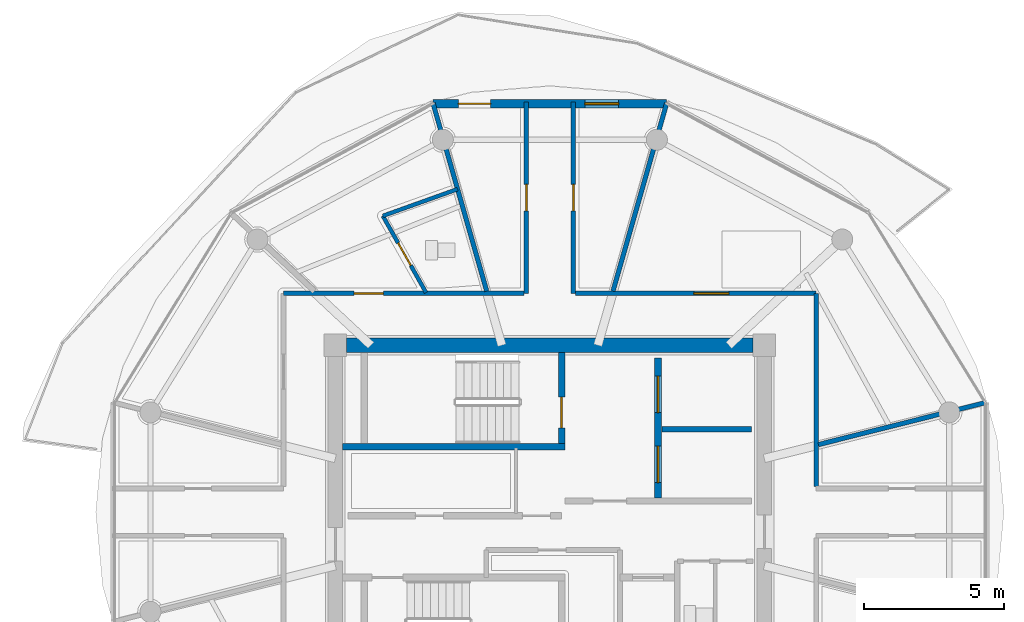
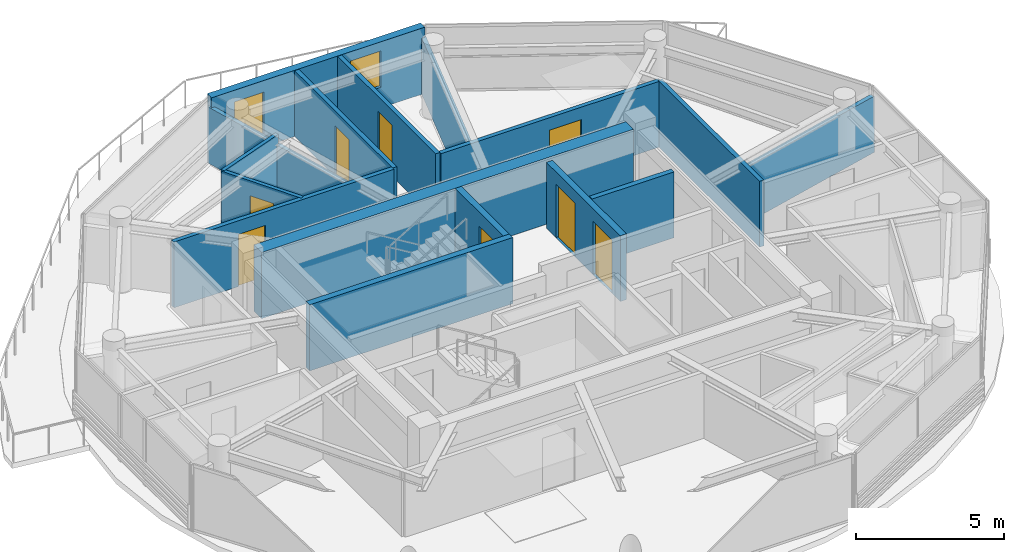
# One storey, part 13 of 21: 16 walls, 9 doors, 1 window, 10 openings.
"""IFC4 building model written with IfcOpenShell, lengths in metres."""

from ifc_helpers import new_model, si_unit, direction, frame, frame_2d, origin, place, context, subcontext, project, spatial, rectangle, extrude, source, transform, mapped, material, layer, layer_set, type_object, type_shapes, element, fill, save


model = new_model("IFC4")

# Units and contexts
model_context = context("Model", 3, precision=1e-05, world=origin(), true_north=direction((0.0, 1.0)))
body_context = subcontext(model_context, "Body", "Model", "MODEL_VIEW")
ifc_project = project(units=[si_unit("LENGTHUNIT", "METRE"), si_unit("AREAUNIT", "SQUARE_METRE"), si_unit("VOLUMEUNIT", "CUBIC_METRE"), si_unit("PLANEANGLEUNIT", "RADIAN"), si_unit("MASSUNIT", "GRAM", prefix="KILO")], contexts=[model_context])

# Site, building, storey
site_placement = place(None, origin())
site = spatial("IfcSite", under=ifc_project, at=site_placement, CompositionType="ELEMENT")
building_placement = place(site_placement, origin())
building = spatial("IfcBuilding", under=site, at=building_placement, Name="Norrkilde Senior Care Towers", CompositionType="ELEMENT")
storey_placement = place(building_placement, frame((0.0, 0.0, 241.35009765625)))
storey = spatial("IfcBuildingStorey", under=building, at=storey_placement, Name="L75", CompositionType="ELEMENT", Elevation=241.35009765625)

# Wall
ifc_material_1 = material(Name="Concrete C50/60", Category="concrete")
ifc_layer_1 = layer(ifc_material_1, 0.52001953125)
ifc_layer_set_1 = layer_set([ifc_layer_1], Name="Concrete C50/60")
wall_type_1 = type_object("IfcWallType", Name="Core Shear Wall Z4 520", PredefinedType="SHEAR", material=ifc_layer_set_1)
shared_shape_1 = source(origin(), body_context, "Body", "SweptSolid", [
    extrude(rectangle(XDim=14.5, YDim=0.52001953125, at=frame_2d((7.25, 0.0))), origin(), (0.0, 0.0, 1.0), 2.72998046875),
])
type_shapes(wall_type_1, [shared_shape_1])
wall_1_placement = place(storey_placement, frame((20.75, 5.949951171875, 0.0), z_axis=(0.0, 0.0, 1.0), x_axis=(1.0, 0.0, 0.0)))
element("IfcWall", 1, at=wall_1_placement, inside=storey, type_object=wall_type_1, Name="L75 Core E North Shear Wall", PredefinedType="SHEAR", context=body_context, shape_type="MappedRepresentation", body=[
    mapped(shared_shape_1, transform((0.0, 0.0, 0.0), x_axis=(1.0, 0.0, 0.0), y_axis=(0.0, 1.0, 0.0), z_axis=(0.0, 0.0, 1.0), scale=1.0)),
])

# Wall, openings, door, window
ifc_material_2 = material(Name="Precast concrete C45/55", Category="concrete")
ifc_layer_2 = layer(ifc_material_2, 0.2900390625)
ifc_layer_set_2 = layer_set([ifc_layer_2], Name="Precast concrete C45/55")
wall_type_2 = type_object("IfcWallType", Name="Winter Garden Facade Wall 290", PredefinedType="SOLIDWALL", material=ifc_layer_set_2)
shared_shape_2 = source(origin(), body_context, "Body", "SweptSolid", [
    extrude(rectangle(XDim=8.32373046875, YDim=0.2900390625, at=frame_2d((4.161865234375, 0.0))), origin(), (0.0, 0.0, 1.0), 2.72998046875),
])
type_shapes(wall_type_2, [shared_shape_2])
wall_2_placement = place(storey_placement, frame((23.838134765625, 14.566162109375, 0.0), z_axis=(0.0, 0.0, 1.0), x_axis=(1.0, 0.0, 0.0)))
wall_2 = element("IfcWall", 2, at=wall_2_placement, inside=storey, type_object=wall_type_2, Name="L75 Drum E Balcony Access Wall 02", PredefinedType="SOLIDWALL", context=body_context, shape_type="MappedRepresentation", body=[
    mapped(shared_shape_2, transform((0.0, 0.0, 0.0), x_axis=(1.0, 0.0, 0.0), y_axis=(0.0, 1.0, 0.0), z_axis=(0.0, 0.0, 1.0), scale=1.0)),
])
opening_1_placement = place(wall_2_placement, frame((0.89990234375, 0.0, 0.0)))
opening_1 = element("IfcOpeningElement", 3, at=opening_1_placement, cuts=wall_2, Name="Opening D-09", PredefinedType="OPENING", context=body_context, shape_type="SweptSolid", body=[
    extrude(rectangle(XDim=1.14990234375, YDim=2.25, at=frame_2d((0.574951171875, 1.125))), frame((0.0, 0.155029296875, 0.0), z_axis=(0.0, -1.0, 0.0), x_axis=(1.0, 0.0, 0.0)), (0.0, 0.0, 1.0), 0.31005859375),
])
opening_2_placement = place(wall_2_placement, frame((5.411865234375, 0.0, 0.85009765625)))
opening_2 = element("IfcOpeningElement", 4, at=opening_2_placement, cuts=wall_2, Name="Opening WN-07", PredefinedType="OPENING", context=body_context, shape_type="SweptSolid", body=[
    extrude(rectangle(XDim=1.199951171875, YDim=1.5, at=frame_2d((0.60009765625, 0.75))), frame((0.0, 0.155029296875, 0.0), z_axis=(0.0, -1.0, 0.0), x_axis=(1.0, 0.0, 0.0)), (0.0, 0.0, 1.0), 0.31005859375),
])
ifc_material_3 = material(Name="Anodised Aluminium", Category="aluminium")
door_type_1 = type_object("IfcDoorType", Name="Terrace and Balcony Glazed Door 1150x2250", OperationType="NOTDEFINED", PredefinedType="DOOR", material=ifc_material_3)
shared_shape_3 = source(origin(), body_context, "Body", "SweptSolid", [
    extrude(rectangle(XDim=1.14990234375, YDim=2.25, at=frame_2d((0.574951171875, 1.125))), frame((0.0, 0.02490234375, 0.0), z_axis=(0.0, -1.0, 0.0), x_axis=(1.0, 0.0, 0.0)), (0.0, 0.0, 1.0), 0.050048828125),
])
type_shapes(door_type_1, [shared_shape_3])
door_1_placement = place(opening_1_placement, origin())
door_1 = element("IfcDoor", 5, at=door_1_placement, inside=storey, type_object=door_type_1, Name="L75 Drum E Outdoor Terrace Door 02", OperationType="SINGLE_SWING_LEFT", OverallHeight=2.25, OverallWidth=1.14990234375, PredefinedType="DOOR", context=body_context, shape_type="MappedRepresentation", body=[
    mapped(shared_shape_3, transform((0.0, 0.0, 0.0), x_axis=(1.0, 0.0, 0.0), y_axis=(0.0, 1.0, 0.0), z_axis=(0.0, 0.0, 1.0), scale=1.0)),
])
fill(opening_1, door_1)
ifc_material_4 = material(Name="Triple Low-E Insulated Glazing", Category="glass")
window_type = type_object("IfcWindowType", Name="Stairwell Smoke Vent Window 1200x1500", PartitioningType="SINGLE_PANEL", PredefinedType="WINDOW", material=ifc_material_4)
shared_shape_4 = source(origin(), body_context, "Body", "SweptSolid", [
    extrude(rectangle(XDim=1.199951171875, YDim=1.5, at=frame_2d((0.60009765625, 0.75))), frame((0.0, 0.030029296875, 0.0), z_axis=(0.0, -1.0, 0.0), x_axis=(1.0, 0.0, 0.0)), (0.0, 0.0, 1.0), 0.06005859375),
])
type_shapes(window_type, [shared_shape_4])
window_placement = place(opening_2_placement, origin())
window = element("IfcWindow", 6, at=window_placement, inside=storey, type_object=window_type, Name="L75 Drum E Winter Garden Window 02", OverallHeight=1.5, OverallWidth=1.199951171875, PartitioningType="SINGLE_PANEL", PredefinedType="WINDOW", context=body_context, shape_type="MappedRepresentation", body=[
    mapped(shared_shape_4, transform((0.0, 0.0, 0.0), x_axis=(1.0, 0.0, 0.0), y_axis=(0.0, 1.0, 0.0), z_axis=(0.0, 0.0, 1.0), scale=1.0)),
])
fill(opening_2, window)

# Wall, openings, doors
ifc_material_5 = material(Name="Concrete C45/55", Category="concrete")
ifc_layer_3 = layer(ifc_material_5, 0.239990234375)
ifc_layer_set_3 = layer_set([ifc_layer_3], Name="Concrete C45/55")
wall_type_3 = type_object("IfcWallType", Name="Lift and Plant Rated Enclosure Partition 240", PredefinedType="PARTITIONING", material=ifc_layer_set_3)
shared_shape_5 = source(origin(), body_context, "Body", "SweptSolid", [
    extrude(rectangle(XDim=5.0, YDim=0.239990234375, at=frame_2d((2.5, 0.0))), origin(), (0.0, 0.0, 1.0), 2.71484375),
])
type_shapes(wall_type_3, [shared_shape_5])
wall_3_placement = place(storey_placement, frame((31.860107421875, 0.5, 0.0), z_axis=(0.0, 0.0, 1.0), x_axis=(0.0, 1.0, 0.0)))
wall_3 = element("IfcWall", 7, at=wall_3_placement, inside=storey, type_object=wall_type_3, Name="WL-INT-L75-E-FFLE", PredefinedType="PARTITIONING", context=body_context, shape_type="MappedRepresentation", body=[
    mapped(shared_shape_5, transform((0.0, 0.0, 0.0), x_axis=(1.0, 0.0, 0.0), y_axis=(0.0, 1.0, 0.0), z_axis=(0.0, 0.0, 1.0), scale=1.0)),
])
opening_3_placement = place(wall_3_placement, frame((3.050048828125, 0.0, 0.0)))
opening_3 = element("IfcOpeningElement", 8, at=opening_3_placement, cuts=wall_3, Name="Opening LD-02", PredefinedType="OPENING", context=body_context, shape_type="SweptSolid", body=[
    extrude(rectangle(XDim=1.300048828125, YDim=2.199951171875, at=frame_2d((0.64990234375, 1.10009765625))), frame((0.0, 0.1298828125, 0.0), z_axis=(0.0, -1.0, 0.0), x_axis=(1.0, 0.0, 0.0)), (0.0, 0.0, 1.0), 0.260009765625),
])
opening_4_placement = place(wall_3_placement, frame((0.550048828125, 0.0, 0.0)))
opening_4 = element("IfcOpeningElement", 9, at=opening_4_placement, cuts=wall_3, Name="Opening LD-02", PredefinedType="OPENING", context=body_context, shape_type="SweptSolid", body=[
    extrude(rectangle(XDim=1.300048828125, YDim=2.199951171875, at=frame_2d((0.64990234375, 1.10009765625))), frame((0.0, 0.1298828125, 0.0), z_axis=(0.0, -1.0, 0.0), x_axis=(1.0, 0.0, 0.0)), (0.0, 0.0, 1.0), 0.260009765625),
])
ifc_material_6 = material(Name="Stainless Steel", Category="steel")
door_type_2 = type_object("IfcDoorType", Name="Stretcher and FFL Landing Sliding Door 1300x2200", OperationType="NOTDEFINED", PredefinedType="DOOR", material=ifc_material_6)
shared_shape_6 = source(origin(), body_context, "Body", "SweptSolid", [
    extrude(rectangle(XDim=1.300048828125, YDim=2.199951171875, at=frame_2d((0.64990234375, 1.10009765625))), frame((0.0, 0.02490234375, 0.0), z_axis=(0.0, -1.0, 0.0), x_axis=(1.0, 0.0, 0.0)), (0.0, 0.0, 1.0), 0.050048828125),
])
type_shapes(door_type_2, [shared_shape_6])
door_2_placement = place(opening_3_placement, origin())
door_2 = element("IfcDoor", 10, at=door_2_placement, inside=storey, type_object=door_type_2, Name="L75 Firefighting Lift E1 Landing Door", OperationType="SLIDING_TO_LEFT", OverallHeight=2.199951171875, OverallWidth=1.300048828125, PredefinedType="DOOR", context=body_context, shape_type="MappedRepresentation", body=[
    mapped(shared_shape_6, transform((0.0, 0.0, 0.0), x_axis=(1.0, 0.0, 0.0), y_axis=(0.0, 1.0, 0.0), z_axis=(0.0, 0.0, 1.0), scale=1.0)),
])
fill(opening_3, door_2)
door_3_placement = place(opening_4_placement, origin())
door_3 = element("IfcDoor", 11, at=door_3_placement, inside=storey, type_object=door_type_2, Name="L75 Stretcher Lift E1 Landing Door", OperationType="SLIDING_TO_RIGHT", OverallHeight=2.199951171875, OverallWidth=1.300048828125, PredefinedType="DOOR", context=body_context, shape_type="MappedRepresentation", body=[
    mapped(shared_shape_6, transform((0.0, 0.0, 0.0), x_axis=(1.0, 0.0, 0.0), y_axis=(0.0, 1.0, 0.0), z_axis=(0.0, 0.0, 1.0), scale=1.0)),
])
fill(opening_4, door_3)

# Wall
ifc_layer_4 = layer(ifc_material_5, 0.199951171875)
ifc_layer_set_4 = layer_set([ifc_layer_4], Name="Concrete C45/55")
wall_type_4 = type_object("IfcWallType", Name="Shaft Division and Plant Partition 200", PredefinedType="PARTITIONING", material=ifc_layer_set_4)
shared_shape_7 = source(origin(), body_context, "Body", "SweptSolid", [
    extrude(rectangle(XDim=3.199951171875, YDim=0.199951171875, at=frame_2d((1.60009765625, 0.0))), origin(), (0.0, 0.0, 1.0), 2.71484375),
])
type_shapes(wall_type_4, [shared_shape_7])
wall_4_placement = place(storey_placement, frame((32.0, 2.949951171875, 0.0), z_axis=(0.0, 0.0, 1.0), x_axis=(1.0, 0.0, 0.0)))
element("IfcWall", 12, at=wall_4_placement, inside=storey, type_object=wall_type_4, Name="WL-INT-L75-E-FFLDIV", PredefinedType="PARTITIONING", context=body_context, shape_type="MappedRepresentation", body=[
    mapped(shared_shape_7, transform((0.0, 0.0, 0.0), x_axis=(1.0, 0.0, 0.0), y_axis=(0.0, 1.0, 0.0), z_axis=(0.0, 0.0, 1.0), scale=1.0)),
])

# Wall, opening, door
ifc_material_7 = material(Name="Gypsum Acoustic Board")
ifc_layer_5 = layer(ifc_material_7, 0.1650390625)
ifc_layer_set_5 = layer_set([ifc_layer_5], Name="Gypsum Acoustic Board")
wall_type_5 = type_object("IfcWallType", Name="Corridor Rated Partition 165", PredefinedType="PARTITIONING", material=ifc_layer_set_5)
shared_shape_8 = source(origin(), body_context, "Body", "SweptSolid", [
    extrude(rectangle(XDim=8.580078125, YDim=0.1650390625, at=frame_2d((4.2900390625, 0.0))), origin(), (0.0, 0.0, 1.0), 2.71484375),
])
wall_5_placement = place(storey_placement, frame((18.5, 7.800048828125, 0.0), z_axis=(0.0, 0.0, 1.0), x_axis=(1.0, 0.0, 0.0)))
wall_5 = element("IfcWall", 13, at=wall_5_placement, inside=storey, type_object=wall_type_5, Name="WL-INT-L75-E-CRW-N-0", PredefinedType="PARTITIONING", context=body_context, shape_type="MappedRepresentation", body=[
    mapped(shared_shape_8, transform((0.0, 0.0, 0.0), x_axis=(1.0, 0.0, 0.0), y_axis=(0.0, 1.0, 0.0), z_axis=(0.0, 0.0, 1.0), scale=1.0)),
])
opening_5_placement = place(wall_5_placement, frame((2.5146484375, 0.0, 0.0)))
opening_5 = element("IfcOpeningElement", 14, at=opening_5_placement, cuts=wall_5, Name="Opening D-06", PredefinedType="OPENING", context=body_context, shape_type="SweptSolid", body=[
    extrude(rectangle(XDim=1.050048828125, YDim=2.14990234375, at=frame_2d((0.52490234375, 1.074951171875))), frame((0.0, 0.092529296875, 0.0), z_axis=(0.0, -1.0, 0.0), x_axis=(1.0, 0.0, 0.0)), (0.0, 0.0, 1.0), 0.18505859375),
])
ifc_material_8 = material(Name="Nordic Ash Timber", Category="wood")
door_type_3 = type_object("IfcDoorType", Name="Apartment Entrance Fire Door 1050x2150", OperationType="NOTDEFINED", PredefinedType="DOOR", material=ifc_material_8)
shared_shape_9 = source(origin(), body_context, "Body", "SweptSolid", [
    extrude(rectangle(XDim=1.050048828125, YDim=2.14990234375, at=frame_2d((0.52490234375, 1.074951171875))), frame((0.0, 0.02490234375, 0.0), z_axis=(0.0, -1.0, 0.0), x_axis=(1.0, 0.0, 0.0)), (0.0, 0.0, 1.0), 0.050048828125),
])
type_shapes(door_type_3, [shared_shape_9])
door_4_placement = place(opening_5_placement, frame((1.050048828125, 0.0, 0.0), z_axis=(0.0, 0.0, 1.0), x_axis=(-1.0, 0.0, 0.0)))
door_4 = element("IfcDoor", 15, at=door_4_placement, inside=storey, type_object=door_type_3, Name="L75 Studio 75B Entrance Door", OperationType="SINGLE_SWING_RIGHT", OverallHeight=2.14990234375, OverallWidth=1.050048828125, PredefinedType="DOOR", context=body_context, shape_type="MappedRepresentation", body=[
    mapped(shared_shape_9, transform((0.0, 0.0, 0.0), x_axis=(1.0, 0.0, 0.0), y_axis=(0.0, 1.0, 0.0), z_axis=(0.0, 0.0, 1.0), scale=1.0)),
])
fill(opening_5, door_4)

wall_6_placement = place(storey_placement, frame((28.919921875, 7.800048828125, 0.0), z_axis=(0.0, 0.0, 1.0), x_axis=(1.0, 0.0, 0.0)))
wall_6 = element("IfcWall", 16, at=wall_6_placement, inside=storey, type_object=wall_type_5, Name="WL-INT-L75-E-CRW-N-1", PredefinedType="PARTITIONING", context=body_context, shape_type="MappedRepresentation", body=[
    mapped(shared_shape_8, transform((0.0, 0.0, 0.0), x_axis=(1.0, 0.0, 0.0), y_axis=(0.0, 1.0, 0.0), z_axis=(0.0, 0.0, 1.0), scale=1.0)),
])
opening_6_placement = place(wall_6_placement, frame((4.2197265625, 0.0, 0.0)))
opening_6 = element("IfcOpeningElement", 17, at=opening_6_placement, cuts=wall_6, Name="Opening D-05", PredefinedType="OPENING", context=body_context, shape_type="SweptSolid", body=[
    extrude(rectangle(XDim=1.25, YDim=2.199951171875, at=frame_2d((0.625, 1.10009765625))), frame((0.0, 0.092529296875, 0.0), z_axis=(0.0, -1.0, 0.0), x_axis=(1.0, 0.0, 0.0)), (0.0, 0.0, 1.0), 0.18505859375),
])
door_type_4 = type_object("IfcDoorType", Name="Care Bedroom Bariatric Door 1250x2200", OperationType="NOTDEFINED", PredefinedType="DOOR", material=ifc_material_8)
shared_shape_10 = source(origin(), body_context, "Body", "SweptSolid", [
    extrude(rectangle(XDim=1.25, YDim=2.199951171875, at=frame_2d((0.625, 1.10009765625))), frame((0.0, 0.02490234375, 0.0), z_axis=(0.0, -1.0, 0.0), x_axis=(1.0, 0.0, 0.0)), (0.0, 0.0, 1.0), 0.050048828125),
])
type_shapes(door_type_4, [shared_shape_10])
door_5_placement = place(opening_6_placement, frame((1.25, 0.0, 0.0), z_axis=(0.0, 0.0, 1.0), x_axis=(-1.0, 0.0, 0.0)))
door_5 = element("IfcDoor", 18, at=door_5_placement, inside=storey, type_object=door_type_4, Name="L75 Senior Wellness Library Lounge Door", OperationType="SINGLE_SWING_LEFT", OverallHeight=2.199951171875, OverallWidth=1.25, PredefinedType="DOOR", context=body_context, shape_type="MappedRepresentation", body=[
    mapped(shared_shape_10, transform((0.0, 0.0, 0.0), x_axis=(1.0, 0.0, 0.0), y_axis=(0.0, 1.0, 0.0), z_axis=(0.0, 0.0, 1.0), scale=1.0)),
])
fill(opening_6, door_5)

# Walls
shared_shape_11 = source(origin(), body_context, "Body", "SweptSolid", [
    extrude(rectangle(XDim=6.880126953125, YDim=0.1650390625, at=frame_2d((3.43994140625, 0.0))), origin(), (0.0, 0.0, 1.0), 2.71484375),
])
wall_7_placement = place(storey_placement, frame((37.5, 7.800048828125, 0.0), z_axis=(0.0, 0.0, 1.0), x_axis=(0.0, -1.0, 0.0)))
element("IfcWall", 19, at=wall_7_placement, inside=storey, type_object=wall_type_5, Name="WL-INT-L75-E-CRW-E-0", PredefinedType="PARTITIONING", context=body_context, shape_type="MappedRepresentation", body=[
    mapped(shared_shape_11, transform((0.0, 0.0, 0.0), x_axis=(1.0, 0.0, 0.0), y_axis=(0.0, 1.0, 0.0), z_axis=(0.0, 0.0, 1.0), scale=1.0)),
])
ifc_layer_6 = layer(ifc_material_5, 0.239990234375)
ifc_layer_set_6 = layer_set([ifc_layer_6], Name="Concrete C45/55")
wall_type_6 = type_object("IfcWallType", Name="Shaft and Stair Enclosure Wall 240", PredefinedType="PARTITIONING", material=ifc_layer_set_6)
shared_shape_12 = source(origin(), body_context, "Body", "SweptSolid", [
    extrude(rectangle(XDim=7.929931640625, YDim=0.239990234375, at=frame_2d((3.96484375, 0.0))), origin(), (0.0, 0.0, 1.0), 2.72998046875),
])
wall_8_placement = place(storey_placement, frame((20.610107421875, 2.330078125, 0.0), z_axis=(0.0, 0.0, 1.0), x_axis=(1.0, 0.0, 0.0)))
element("IfcWall", 20, at=wall_8_placement, inside=storey, type_object=wall_type_6, Name="WL-INT-L75-E-ST1S", PredefinedType="PARTITIONING", context=body_context, shape_type="MappedRepresentation", body=[
    mapped(shared_shape_12, transform((0.0, 0.0, 0.0), x_axis=(1.0, 0.0, 0.0), y_axis=(0.0, 1.0, 0.0), z_axis=(0.0, 0.0, 1.0), scale=1.0)),
])

# Wall, opening, door
shared_shape_13 = source(origin(), body_context, "Body", "SweptSolid", [
    extrude(rectangle(XDim=3.239990234375, YDim=0.239990234375, at=frame_2d((1.6201171875, 0.0))), origin(), (0.0, 0.0, 1.0), 2.72998046875),
])
type_shapes(wall_type_6, [shared_shape_12, shared_shape_13])
wall_9_placement = place(storey_placement, frame((28.419921875, 2.449951171875, 0.0), z_axis=(0.0, 0.0, 1.0), x_axis=(0.0, 1.0, 0.0)))
wall_9 = element("IfcWall", 21, at=wall_9_placement, inside=storey, type_object=wall_type_6, Name="WL-INT-L75-E-ST1E", PredefinedType="PARTITIONING", context=body_context, shape_type="MappedRepresentation", body=[
    mapped(shared_shape_13, transform((0.0, 0.0, 0.0), x_axis=(1.0, 0.0, 0.0), y_axis=(0.0, 1.0, 0.0), z_axis=(0.0, 0.0, 1.0), scale=1.0)),
])
opening_7_placement = place(wall_9_placement, frame((0.550048828125, 0.0, 0.0)))
opening_7 = element("IfcOpeningElement", 22, at=opening_7_placement, cuts=wall_9, Name="Opening D-03", PredefinedType="OPENING", context=body_context, shape_type="SweptSolid", body=[
    extrude(rectangle(XDim=1.10009765625, YDim=2.14990234375, at=frame_2d((0.550048828125, 1.074951171875))), frame((0.0, 0.1298828125, 0.0), z_axis=(0.0, -1.0, 0.0), x_axis=(1.0, 0.0, 0.0)), (0.0, 0.0, 1.0), 0.260009765625),
])
ifc_material_9 = material(Name="Galvanised Painted Steel", Category="steel")
door_type_5 = type_object("IfcDoorType", Name="Stairwell Protected Fire Door 1100x2150", OperationType="NOTDEFINED", PredefinedType="DOOR", material=ifc_material_9)
shared_shape_14 = source(origin(), body_context, "Body", "SweptSolid", [
    extrude(rectangle(XDim=1.10009765625, YDim=2.14990234375, at=frame_2d((0.550048828125, 1.074951171875))), frame((0.0, 0.02490234375, 0.0), z_axis=(0.0, -1.0, 0.0), x_axis=(1.0, 0.0, 0.0)), (0.0, 0.0, 1.0), 0.050048828125),
])
type_shapes(door_type_5, [shared_shape_14])
door_6_placement = place(opening_7_placement, origin())
door_6 = element("IfcDoor", 23, at=door_6_placement, inside=storey, type_object=door_type_5, Name="L75 Stair E1 Fire Door", OperationType="SINGLE_SWING_LEFT", OverallHeight=2.14990234375, OverallWidth=1.10009765625, PredefinedType="DOOR", context=body_context, shape_type="MappedRepresentation", body=[
    mapped(shared_shape_14, transform((0.0, 0.0, 0.0), x_axis=(1.0, 0.0, 0.0), y_axis=(0.0, 1.0, 0.0), z_axis=(0.0, 0.0, 1.0), scale=1.0)),
])
fill(opening_7, door_6)

# Walls
shared_shape_15 = source(origin(), body_context, "Body", "SweptSolid", [
    extrude(rectangle(XDim=6.973876953125, YDim=0.1650390625, at=frame_2d((3.48681640625, 0.0))), origin(), (0.0, 0.0, 1.0), 2.31494140625),
])
for number, where, z_axis, x_axis, name in (
    (24, (30.251220703125, 7.8798828125, 0.0), (0.0, 0.0, 1.0), (0.274707256801, 0.961527910703, 0.0), "WL-INT-L75-E-DEM-02-0"),
    (25, (25.748779296875, 7.8798828125, 0.0), (0.0, 0.0, 1.0), (-0.274707256801, 0.961527910703, 0.0), "WL-INT-L75-E-DEM-03-0"),
):
    element("IfcWall", number, at=place(storey_placement, frame(where, z_axis=z_axis, x_axis=x_axis)), inside=storey, type_object=wall_type_5, Name=name, PredefinedType="PARTITIONING", context=body_context, shape_type="MappedRepresentation", body=[
        mapped(shared_shape_15, transform((0.0, 0.0, 0.0), x_axis=(1.0, 0.0, 0.0), y_axis=(0.0, 1.0, 0.0), z_axis=(0.0, 0.0, 1.0), scale=1.0)),
    ])
shared_shape_16 = source(origin(), body_context, "Body", "SweptSolid", [
    extrude(rectangle(XDim=6.1572265625, YDim=0.1650390625, at=frame_2d((3.07861328125, 0.0))), origin(), (0.0, 0.0, 1.0), 2.31494140625),
])
wall_10_placement = place(storey_placement, frame((37.580078125, 2.407470703125, 0.0), z_axis=(0.0, 0.0, 1.0), x_axis=(0.969840867184, 0.243738984038, 0.0)))
element("IfcWall", 26, at=wall_10_placement, inside=storey, type_object=wall_type_5, Name="WL-INT-L75-E-DEM-00-0", PredefinedType="PARTITIONING", context=body_context, shape_type="MappedRepresentation", body=[
    mapped(shared_shape_16, transform((0.0, 0.0, 0.0), x_axis=(1.0, 0.0, 0.0), y_axis=(0.0, 1.0, 0.0), z_axis=(0.0, 0.0, 1.0), scale=1.0)),
])

# Wall, opening, door
shared_shape_17 = source(origin(), body_context, "Body", "SweptSolid", [
    extrude(rectangle(XDim=6.83544921875, YDim=0.1650390625, at=frame_2d((3.417724609375, 0.0))), origin(), (0.0, 0.0, 1.0), 2.71484375),
])
type_shapes(wall_type_5, [shared_shape_8, shared_shape_11, shared_shape_15, shared_shape_16, shared_shape_17])
wall_11_placement = place(storey_placement, frame((27.159912109375, 7.800048828125, 0.0), z_axis=(0.0, 0.0, 1.0), x_axis=(0.0, 1.0, 0.0)))
wall_11 = element("IfcWall", 27, at=wall_11_placement, inside=storey, type_object=wall_type_5, Name="WL-INT-L75-E-SPK-N1-0", PredefinedType="PARTITIONING", context=body_context, shape_type="MappedRepresentation", body=[
    mapped(shared_shape_17, transform((0.0, 0.0, 0.0), x_axis=(1.0, 0.0, 0.0), y_axis=(0.0, 1.0, 0.0), z_axis=(0.0, 0.0, 1.0), scale=1.0)),
])
opening_8_placement = place(wall_11_placement, frame((2.942626953125, 0.0, 0.0)))
opening_8 = element("IfcOpeningElement", 28, at=opening_8_placement, cuts=wall_11, Name="Opening D-07", PredefinedType="OPENING", context=body_context, shape_type="SweptSolid", body=[
    extrude(rectangle(XDim=0.949951171875, YDim=2.10009765625, at=frame_2d((0.47509765625, 1.050048828125))), frame((0.0, 0.092529296875, 0.0), z_axis=(0.0, -1.0, 0.0), x_axis=(1.0, 0.0, 0.0)), (0.0, 0.0, 1.0), 0.18505859375),
])
door_type_6 = type_object("IfcDoorType", Name="Internal Suite Bedroom Door 950x2100", OperationType="NOTDEFINED", PredefinedType="DOOR", material=ifc_material_8)
shared_shape_18 = source(origin(), body_context, "Body", "SweptSolid", [
    extrude(rectangle(XDim=0.949951171875, YDim=2.10009765625, at=frame_2d((0.47509765625, 1.050048828125))), frame((0.0, 0.02490234375, 0.0), z_axis=(0.0, -1.0, 0.0), x_axis=(1.0, 0.0, 0.0)), (0.0, 0.0, 1.0), 0.050048828125),
])
type_shapes(door_type_6, [shared_shape_18])
door_7_placement = place(opening_8_placement, frame((0.949951171875, 0.0, 0.0), z_axis=(0.0, 0.0, 1.0), x_axis=(-1.0, 0.0, 0.0)))
door_7 = element("IfcDoor", 29, at=door_7_placement, inside=storey, type_object=door_type_6, Name="L75 Sun Reading Lounge 3 Door", OperationType="SINGLE_SWING_RIGHT", OverallHeight=2.10009765625, OverallWidth=0.949951171875, PredefinedType="DOOR", context=body_context, shape_type="MappedRepresentation", body=[
    mapped(shared_shape_18, transform((0.0, 0.0, 0.0), x_axis=(1.0, 0.0, 0.0), y_axis=(0.0, 1.0, 0.0), z_axis=(0.0, 0.0, 1.0), scale=1.0)),
])
fill(opening_8, door_7)

wall_12_placement = place(storey_placement, frame((28.840087890625, 14.635498046875, 0.0), z_axis=(0.0, 0.0, 1.0), x_axis=(0.0, -1.0, 0.0)))
wall_12 = element("IfcWall", 30, at=wall_12_placement, inside=storey, type_object=wall_type_5, Name="WL-INT-L75-E-SPK-N2-0", PredefinedType="PARTITIONING", context=body_context, shape_type="MappedRepresentation", body=[
    mapped(shared_shape_17, transform((0.0, 0.0, 0.0), x_axis=(1.0, 0.0, 0.0), y_axis=(0.0, 1.0, 0.0), z_axis=(0.0, 0.0, 1.0), scale=1.0)),
])
opening_9_placement = place(wall_12_placement, frame((2.942626953125, 0.0, 0.0)))
opening_9 = element("IfcOpeningElement", 31, at=opening_9_placement, cuts=wall_12, Name="Opening D-07", PredefinedType="OPENING", context=body_context, shape_type="SweptSolid", body=[
    extrude(rectangle(XDim=0.949951171875, YDim=2.10009765625, at=frame_2d((0.47509765625, 1.050048828125))), frame((0.0, 0.092529296875, 0.0), z_axis=(0.0, -1.0, 0.0), x_axis=(1.0, 0.0, 0.0)), (0.0, 0.0, 1.0), 0.18505859375),
])
door_8_placement = place(opening_9_placement, frame((0.949951171875, 0.0, 0.0), z_axis=(0.0, 0.0, 1.0), x_axis=(-1.0, 0.0, 0.0)))
door_8 = element("IfcDoor", 32, at=door_8_placement, inside=storey, type_object=door_type_6, Name="L75 Sun Reading Lounge 4 Door", OperationType="SINGLE_SWING_LEFT", OverallHeight=2.10009765625, OverallWidth=0.949951171875, PredefinedType="DOOR", context=body_context, shape_type="MappedRepresentation", body=[
    mapped(shared_shape_18, transform((0.0, 0.0, 0.0), x_axis=(1.0, 0.0, 0.0), y_axis=(0.0, 1.0, 0.0), z_axis=(0.0, 0.0, 1.0), scale=1.0)),
])
fill(opening_9, door_8)

ifc_layer_7 = layer(ifc_material_7, 0.139892578125)
ifc_layer_set_7 = layer_set([ifc_layer_7], Name="Gypsum Acoustic Board")
wall_type_7 = type_object("IfcWallType", Name="En-suite Wet Room Wall 140", PredefinedType="PARTITIONING", material=ifc_layer_set_7)
shared_shape_19 = source(origin(), body_context, "Body", "SweptSolid", [
    extrude(rectangle(XDim=3.14013671875, YDim=0.139892578125, at=frame_2d((1.570068359375, 0.0))), origin(), (0.0, 0.0, 1.0), 2.71484375),
])
wall_13_placement = place(storey_placement, frame((23.5849609375, 7.830078125, 0.0), z_axis=(0.0, 0.0, 1.0), x_axis=(-0.491132137966, 0.871085083707, 0.0)))
wall_13 = element("IfcWall", 33, at=wall_13_placement, inside=storey, type_object=wall_type_7, Name="WL-INT-L75-E-ES-03", PredefinedType="PARTITIONING", context=body_context, shape_type="MappedRepresentation", body=[
    mapped(shared_shape_19, transform((0.0, 0.0, 0.0), x_axis=(1.0, 0.0, 0.0), y_axis=(0.0, 1.0, 0.0), z_axis=(0.0, 0.0, 1.0), scale=1.0)),
])
opening_10_placement = place(wall_13_placement, frame((1.110107421875, 0.0, 0.0)))
opening_10 = element("IfcOpeningElement", 34, at=opening_10_placement, cuts=wall_13, Name="Opening D-08", PredefinedType="OPENING", context=body_context, shape_type="SweptSolid", body=[
    extrude(rectangle(XDim=0.919921875, YDim=2.10009765625, at=frame_2d((0.4599609375, 1.050048828125))), frame((0.0, 0.079833984375, 0.0), z_axis=(0.0, -1.0, 0.0), x_axis=(1.0, 0.0, 0.0)), (0.0, 0.0, 1.0), 0.159912109375),
])
door_type_7 = type_object("IfcDoorType", Name="Accessible Wet Room Door 920x2100", OperationType="NOTDEFINED", PredefinedType="DOOR", material=ifc_material_8)
shared_shape_20 = source(origin(), body_context, "Body", "SweptSolid", [
    extrude(rectangle(XDim=0.919921875, YDim=2.10009765625, at=frame_2d((0.4599609375, 1.050048828125))), frame((0.0, 0.02490234375, 0.0), z_axis=(0.0, -1.0, 0.0), x_axis=(1.0, 0.0, 0.0)), (0.0, 0.0, 1.0), 0.050048828125),
])
type_shapes(door_type_7, [shared_shape_20])
door_9_placement = place(opening_10_placement, origin())
door_9 = element("IfcDoor", 35, at=door_9_placement, inside=storey, type_object=door_type_7, Name="L75 Studio 75B Bathroom Door", OperationType="SINGLE_SWING_LEFT", OverallHeight=2.10009765625, OverallWidth=0.919921875, PredefinedType="DOOR", context=body_context, shape_type="MappedRepresentation", body=[
    mapped(shared_shape_20, transform((0.0, 0.0, 0.0), x_axis=(1.0, 0.0, 0.0), y_axis=(0.0, 1.0, 0.0), z_axis=(0.0, 0.0, 1.0), scale=1.0)),
])
fill(opening_10, door_9)

# Wall
shared_shape_21 = source(origin(), body_context, "Body", "SweptSolid", [
    extrude(rectangle(XDim=2.8310546875, YDim=0.139892578125, at=frame_2d((1.41552734375, 0.0))), origin(), (0.0, 0.0, 1.0), 2.71484375),
])
type_shapes(wall_type_7, [shared_shape_19, shared_shape_21])
wall_14_placement = place(storey_placement, frame((22.042724609375, 10.5654296875, 0.0), z_axis=(0.0, 0.0, 1.0), x_axis=(0.941411742535, 0.337259441701, 0.0)))
element("IfcWall", 36, at=wall_14_placement, inside=storey, type_object=wall_type_7, Name="WL-INT-L75-E-EF-03", PredefinedType="PARTITIONING", context=body_context, shape_type="MappedRepresentation", body=[
    mapped(shared_shape_21, transform((0.0, 0.0, 0.0), x_axis=(1.0, 0.0, 0.0), y_axis=(0.0, 1.0, 0.0), z_axis=(0.0, 0.0, 1.0), scale=1.0)),
])

save(model, "model.ifc")
